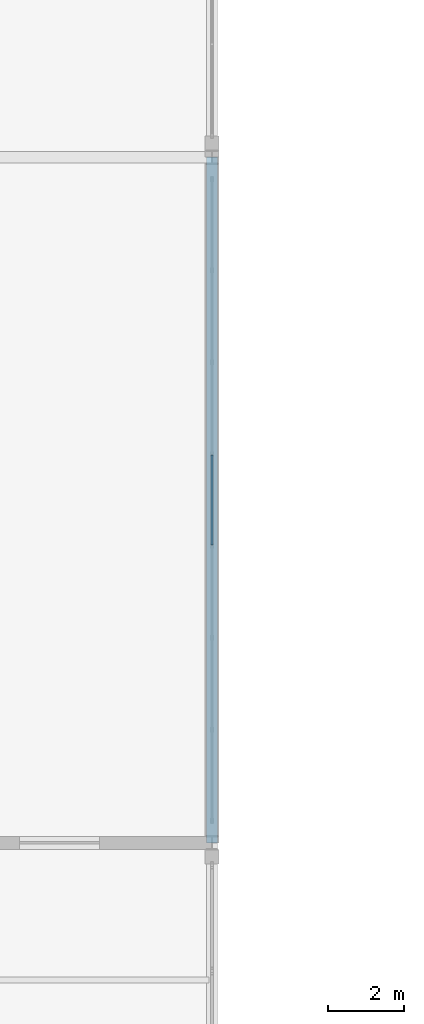
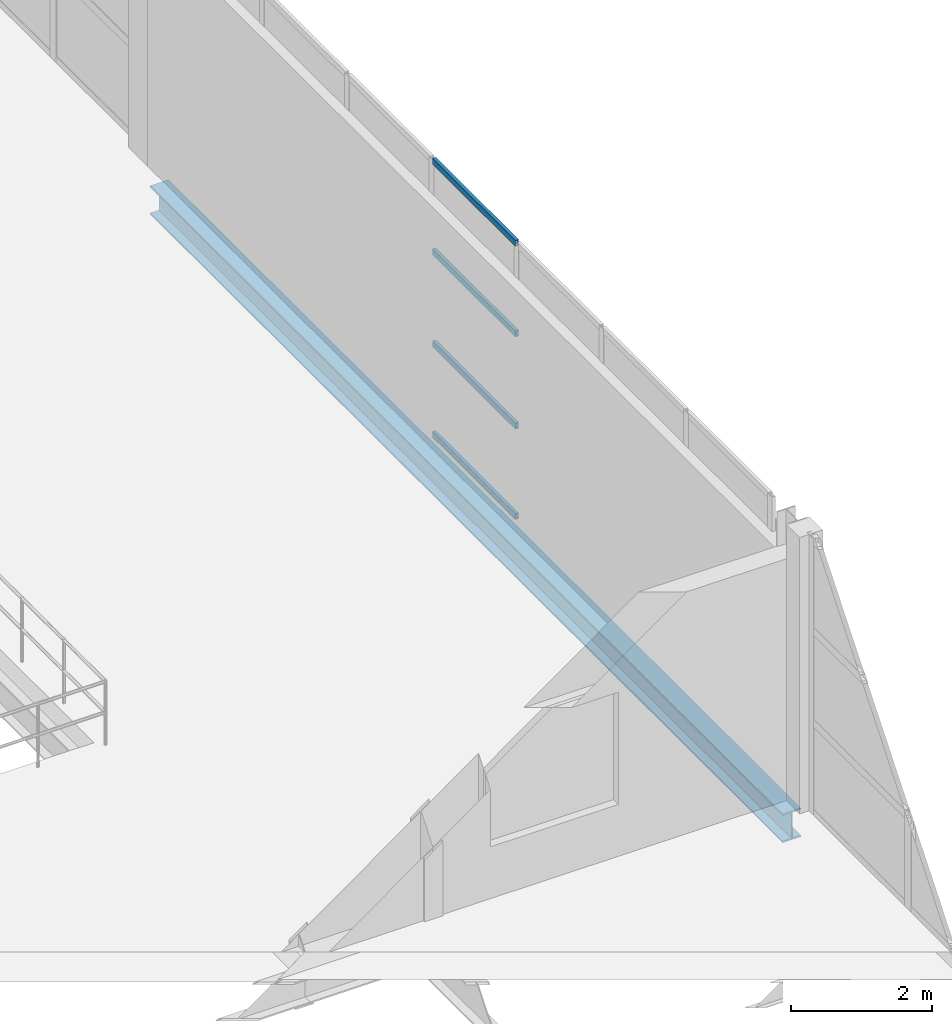
# One storey, part 46 of 147: 4 members, 1 beam, 1 element without a shape of its own.
"""IFC4 building model written with IfcOpenShell, lengths in metres."""

from ifc_helpers import new_model, si_unit, direction, frame, origin, origin_2d, place, context, subcontext, project, spatial, hollow_rectangle, i_section, extrude, material, layer, layer_set, material_profile, profile_set, type_object, element, aggregate, save


model = new_model("IFC4")

# Units and contexts
model_context = context("Model", 3, precision=1e-05, world=origin(), true_north=direction((0.0, 1.0)))
body_context = subcontext(model_context, "Body", "Model", "MODEL_VIEW")
ifc_project = project(units=[si_unit("LENGTHUNIT", "METRE"), si_unit("AREAUNIT", "SQUARE_METRE"), si_unit("VOLUMEUNIT", "CUBIC_METRE"), si_unit("PLANEANGLEUNIT", "RADIAN"), si_unit("MASSUNIT", "GRAM", prefix="KILO")], contexts=[model_context])

# Site, building, storey
site_placement = place(None, origin())
site = spatial("IfcSite", under=ifc_project, at=site_placement, CompositionType="ELEMENT")
building_placement = place(site_placement, origin())
building = spatial("IfcBuilding", under=site, at=building_placement, Name="Zilviju Railside Exhibition Hall", CompositionType="ELEMENT")
storey_placement = place(building_placement, frame((0.0, 0.0, 8.39990234375)))
storey = spatial("IfcBuildingStorey", under=building, at=storey_placement, Name="L03", CompositionType="ELEMENT", Elevation=8.39990234375)

# Beam
ifc_material_1 = material(Name="Steel S355J2", Category="steel")
ifc_material_profile_1 = material_profile(ifc_material_1, i_section(OverallWidth=0.300048828125, OverallDepth=0.5, WebThickness=0.014404296875, FlangeThickness=0.028076171875, at=origin_2d()), Name="HEB 500")
ifc_profile_set_1 = profile_set([ifc_material_profile_1], Name="Steel S355J2")
beam_type = type_object("IfcBeamType", Name="BM-HEB500", PredefinedType="BEAM", material=ifc_profile_set_1)
beam_placement = place(storey_placement, frame((78.0, 18.0, -0.599853515625), z_axis=(0.0, 1.0, 0.0), x_axis=(-1.0, 0.0, 0.0)))
element("IfcBeam", 1, at=beam_placement, inside=storey, type_object=beam_type, Name="Transverse Girder L03 X=78.0 (18.0..36.0)", PredefinedType="BEAM", context=body_context, shape_type="SweptSolid", body=[
    extrude(i_section(OverallWidth=0.300048828125, OverallDepth=0.5, WebThickness=0.014404296875, FlangeThickness=0.028076171875, at=origin_2d()), origin(), (0.0, 0.0, 1.0), 18.0),
])

# Curtain wall, members
ifc_material_2 = material(Name="Thermally broken aluminium-steel triple-glazed curtain wall", Category="steel")
ifc_layer = layer(ifc_material_2, 0.179931640625)
ifc_layer_set = layer_set([ifc_layer], Name="Thermally broken aluminium-steel triple-glazed curtain wall")
curtain_wall_type = type_object("IfcCurtainWallType", Name="CW-BAY-20", PredefinedType="USERDEFINED", material=ifc_layer_set)
curtain_wall_placement = place(storey_placement, origin())
curtain_wall = element("IfcCurtainWall", 2, at=curtain_wall_placement, inside=storey, type_object=curtain_wall_type, Name="South Hall West Upper Glazed Gable (18..36)", ObjectType="GLAZED CURTAIN WALL", PredefinedType="USERDEFINED")
ifc_material_3 = material(Name="Thermally broken anodized aluminium transom", Category="aluminium")
ifc_material_profile_2 = material_profile(ifc_material_3, hollow_rectangle(XDim=0.054931640625, YDim=0.10498046875, WallThickness=0.0048828125, at=origin_2d()), Name="TRANSOM 105x55x5")
ifc_profile_set_2 = profile_set([ifc_material_profile_2], Name="Thermally broken anodized aluminium transom")
member_type = type_object("IfcMemberType", Name="CWT-55x105", PredefinedType="USERDEFINED", material=ifc_profile_set_2)
member_1_placement = place(storey_placement, frame((78.0, 25.8203125, 0.027587890625), z_axis=(0.0, 1.0, 0.0), x_axis=(-1.0, 0.0, 0.0)))
member_1 = element("IfcMember", 3, at=member_1_placement, type_object=member_type, Name="CW-20 transom 4.1", ObjectType="TRANSOM", PredefinedType="USERDEFINED", context=body_context, shape_type="SweptSolid", body=[
    extrude(hollow_rectangle(XDim=0.054931640625, YDim=0.10498046875, WallThickness=0.0048828125, at=origin_2d()), origin(), (0.0, 0.0, 1.0), 2.359375),
])
member_2_placement = place(storey_placement, frame((78.0, 25.8203125, 1.60009765625), z_axis=(0.0, 1.0, 0.0), x_axis=(-1.0, 0.0, 0.0)))
member_2 = element("IfcMember", 4, at=member_2_placement, type_object=member_type, Name="CW-20 transom 4.2", ObjectType="TRANSOM", PredefinedType="USERDEFINED", context=body_context, shape_type="SweptSolid", body=[
    extrude(hollow_rectangle(XDim=0.054931640625, YDim=0.10498046875, WallThickness=0.0048828125, at=origin_2d()), origin(), (0.0, 0.0, 1.0), 2.359375),
])
member_3_placement = place(storey_placement, frame((78.0, 25.8203125, 3.2001953125), z_axis=(0.0, 1.0, 0.0), x_axis=(-1.0, 0.0, 0.0)))
member_3 = element("IfcMember", 5, at=member_3_placement, type_object=member_type, Name="CW-20 transom 4.3", ObjectType="TRANSOM", PredefinedType="USERDEFINED", context=body_context, shape_type="SweptSolid", body=[
    extrude(hollow_rectangle(XDim=0.054931640625, YDim=0.10498046875, WallThickness=0.0048828125, at=origin_2d()), origin(), (0.0, 0.0, 1.0), 2.359375),
])
member_4_placement = place(storey_placement, frame((78.0, 25.8203125, 4.772705078125), z_axis=(0.0, 1.0, 0.0), x_axis=(-1.0, 0.0, 0.0)))
member_4 = element("IfcMember", 6, at=member_4_placement, type_object=member_type, Name="CW-20 transom 4.4", ObjectType="TRANSOM", PredefinedType="USERDEFINED", context=body_context, shape_type="SweptSolid", body=[
    extrude(hollow_rectangle(XDim=0.054931640625, YDim=0.10498046875, WallThickness=0.0048828125, at=origin_2d()), origin(), (0.0, 0.0, 1.0), 2.359375),
])
aggregate(curtain_wall, [member_1, member_2, member_3, member_4])

save(model, "model.ifc")
